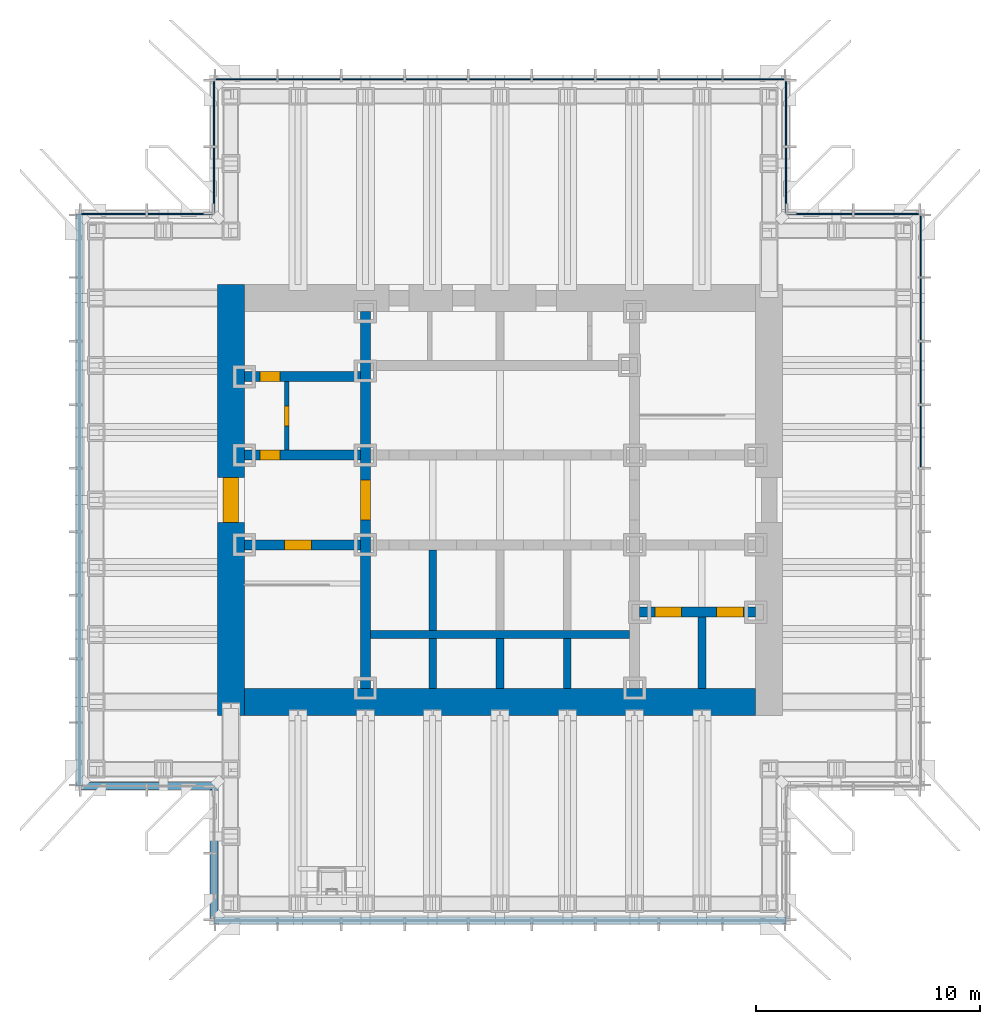
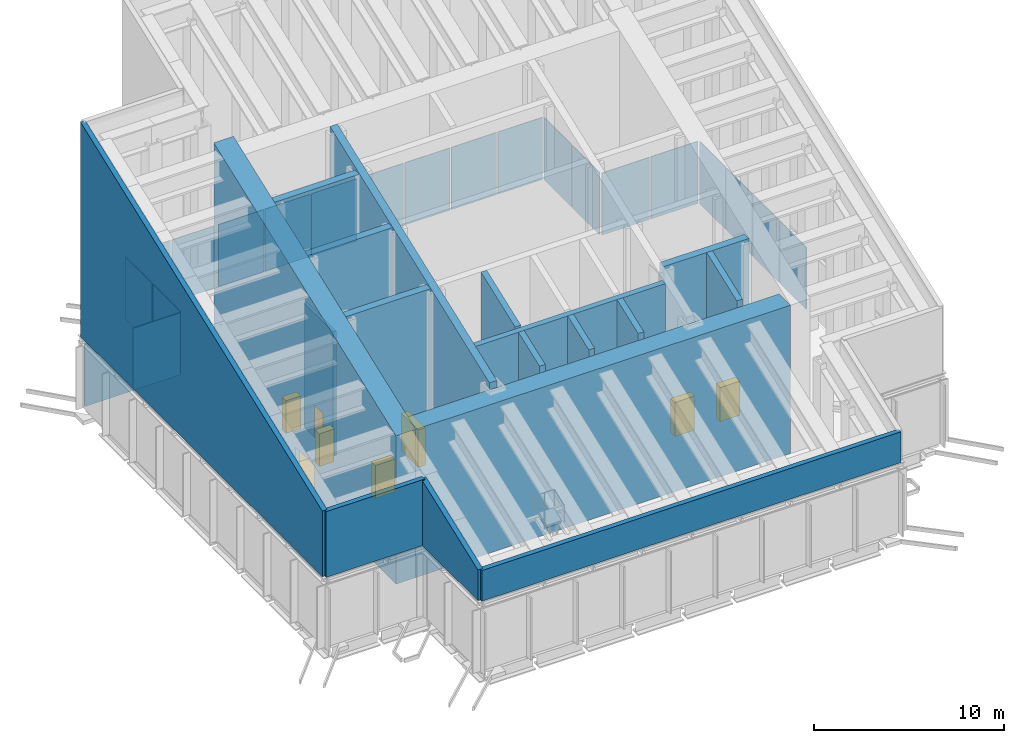
# One storey, part 10 of 15: 21 plates, 18 walls, 8 doors, 8 openings, 6 elements without a shape of their own.
"""IFC4 building model written with IfcOpenShell, lengths in metres."""

from ifc_helpers import new_model, si_unit, direction, frame, frame_2d, origin, origin_2d, place, context, subcontext, project, spatial, polyline, rectangle, outline, extrude, material, layer, layer_set, type_object, element, fill, aggregate, save


model = new_model("IFC4")

# Units and contexts
model_context = context("Model", 3, precision=1e-05, world=origin(), true_north=direction((0.0, 1.0)))
body_context = subcontext(model_context, "Body", "Model", "MODEL_VIEW")
ifc_project = project(units=[si_unit("LENGTHUNIT", "METRE"), si_unit("AREAUNIT", "SQUARE_METRE"), si_unit("VOLUMEUNIT", "CUBIC_METRE"), si_unit("PLANEANGLEUNIT", "RADIAN"), si_unit("MASSUNIT", "GRAM", prefix="KILO")], contexts=[model_context])

# Site, building, storey
site_placement = place(None, origin())
site = spatial("IfcSite", under=ifc_project, at=site_placement, CompositionType="ELEMENT")
building_placement = place(site_placement, origin())
building = spatial("IfcBuilding", under=site, at=building_placement, Name="Daluyong Arena Tower", CompositionType="ELEMENT")
storey_placement = place(building_placement, frame((0.0, 0.0, 285.699951171875)))
storey = spatial("IfcBuildingStorey", under=building, at=storey_placement, Name="L64", CompositionType="ELEMENT", Elevation=285.699951171875)

# Curtain wall, plates
ifc_material_1 = material(Name="Bronze anodised aluminium and glass", Category="aluminium")
curtain_wall_type = type_object("IfcCurtainWallType", Name="Curtain wall CW6", PredefinedType="USERDEFINED", material=ifc_material_1)
curtain_wall_1_placement = place(storey_placement, origin())
curtain_wall_1 = element("IfcCurtainWall", 1, at=curtain_wall_1_placement, inside=storey, type_object=curtain_wall_type, Name="crown louvre curtain wall L64 E", ObjectType="UNITISED CURTAIN WALL", PredefinedType="USERDEFINED")
ifc_material_2 = material(Name="Bronze aluminium louvre panel", Category="aluminium")
ifc_layer_1 = layer(ifc_material_2, 0.050048828125)
ifc_layer_set_1 = layer_set([ifc_layer_1], Name="Bronze aluminium louvre panel")
plate_type = type_object("IfcPlateType", Name="CW6 panel 50", PredefinedType="CURTAIN_PANEL", material=ifc_layer_set_1)
plate_1_placement = place(storey_placement, frame((74.75, 82.833251953125, 0.0), z_axis=(0.0, 0.0, 1.0), x_axis=(0.0, 1.0, 0.0)))
plate_1 = element("IfcPlate", 2, at=plate_1_placement, type_object=plate_type, Name="crown louvre curtain wall L64 E panel 6", PredefinedType="CURTAIN_PANEL", context=body_context, shape_type="SweptSolid", body=[
    extrude(rectangle(XDim=2.75341796875, YDim=0.050048828125, at=origin_2d()), origin(), (0.0, 0.0, 1.0), 4.0),
])
plate_2_placement = place(storey_placement, frame((74.75, 85.666748046875, 0.0), z_axis=(0.0, 0.0, 1.0), x_axis=(0.0, 1.0, 0.0)))
plate_2 = element("IfcPlate", 3, at=plate_2_placement, type_object=plate_type, Name="crown louvre curtain wall L64 E panel 7", PredefinedType="CURTAIN_PANEL", context=body_context, shape_type="SweptSolid", body=[
    extrude(rectangle(XDim=2.75341796875, YDim=0.050048828125, at=origin_2d()), origin(), (0.0, 0.0, 1.0), 4.0),
])
plate_3_placement = place(storey_placement, frame((74.75, 88.5, 0.0), z_axis=(0.0, 0.0, 1.0), x_axis=(0.0, 1.0, 0.0)))
plate_3 = element("IfcPlate", 4, at=plate_3_placement, type_object=plate_type, Name="crown louvre curtain wall L64 E panel 8", PredefinedType="CURTAIN_PANEL", context=body_context, shape_type="SweptSolid", body=[
    extrude(rectangle(XDim=2.75341796875, YDim=0.050048828125, at=origin_2d()), origin(), (0.0, 0.0, 1.0), 4.0),
])
plate_4_placement = place(storey_placement, frame((74.75, 91.313232421875, 0.0), z_axis=(0.0, 0.0, 1.0), x_axis=(0.0, 1.0, 0.0)))
plate_4 = element("IfcPlate", 5, at=plate_4_placement, type_object=plate_type, Name="crown louvre curtain wall L64 E panel 9", PredefinedType="CURTAIN_PANEL", context=body_context, shape_type="SweptSolid", body=[
    extrude(rectangle(XDim=2.71337890625, YDim=0.050048828125, at=origin_2d()), origin(), (0.0, 0.0, 1.0), 4.0),
])
aggregate(curtain_wall_1, [plate_1, plate_2, plate_3, plate_4])

curtain_wall_2_placement = place(storey_placement, origin())
curtain_wall_2 = element("IfcCurtainWall", 6, at=curtain_wall_2_placement, inside=storey, type_object=curtain_wall_type, Name="crown louvre curtain wall L64 NE-N", ObjectType="UNITISED CURTAIN WALL", PredefinedType="USERDEFINED")
plate_5_placement = place(storey_placement, frame((73.22998046875, 92.75, 0.0), z_axis=(0.0, 0.0, 1.0), x_axis=(-1.0, 0.0, 0.0)))
plate_5 = element("IfcPlate", 7, at=plate_5_placement, type_object=plate_type, Name="crown louvre curtain wall L64 NE-N panel 1", PredefinedType="CURTAIN_PANEL", context=body_context, shape_type="SweptSolid", body=[
    extrude(rectangle(XDim=2.8798828125, YDim=0.050048828125, at=origin_2d()), origin(), (0.0, 0.0, 1.0), 4.0),
])
plate_6_placement = place(storey_placement, frame((70.27001953125, 92.75, 0.0), z_axis=(0.0, 0.0, 1.0), x_axis=(-1.0, 0.0, 0.0)))
plate_6 = element("IfcPlate", 8, at=plate_6_placement, type_object=plate_type, Name="crown louvre curtain wall L64 NE-N panel 2", PredefinedType="CURTAIN_PANEL", context=body_context, shape_type="SweptSolid", body=[
    extrude(rectangle(XDim=2.8798828125, YDim=0.050048828125, at=origin_2d()), origin(), (0.0, 0.0, 1.0), 4.0),
])
aggregate(curtain_wall_2, [plate_5, plate_6])

curtain_wall_3_placement = place(storey_placement, origin())
curtain_wall_3 = element("IfcCurtainWall", 9, at=curtain_wall_3_placement, inside=storey, type_object=curtain_wall_type, Name="crown louvre curtain wall L64 NE-E", ObjectType="UNITISED CURTAIN WALL", PredefinedType="USERDEFINED")
plate_7_placement = place(storey_placement, frame((68.75, 94.27001953125, 0.0), z_axis=(0.0, 0.0, 1.0), x_axis=(0.0, 1.0, 0.0)))
plate_7 = element("IfcPlate", 10, at=plate_7_placement, type_object=plate_type, Name="crown louvre curtain wall L64 NE-E panel 1", PredefinedType="CURTAIN_PANEL", context=body_context, shape_type="SweptSolid", body=[
    extrude(rectangle(XDim=2.8798828125, YDim=0.050048828125, at=origin_2d()), origin(), (0.0, 0.0, 1.0), 4.0),
])
plate_8_placement = place(storey_placement, frame((68.75, 97.22998046875, 0.0), z_axis=(0.0, 0.0, 1.0), x_axis=(0.0, 1.0, 0.0)))
plate_8 = element("IfcPlate", 11, at=plate_8_placement, type_object=plate_type, Name="crown louvre curtain wall L64 NE-E panel 2", PredefinedType="CURTAIN_PANEL", context=body_context, shape_type="SweptSolid", body=[
    extrude(rectangle(XDim=2.8798828125, YDim=0.050048828125, at=origin_2d()), origin(), (0.0, 0.0, 1.0), 4.0),
])
aggregate(curtain_wall_3, [plate_7, plate_8])

curtain_wall_4_placement = place(storey_placement, origin())
curtain_wall_4 = element("IfcCurtainWall", 12, at=curtain_wall_4_placement, inside=storey, type_object=curtain_wall_type, Name="crown louvre curtain wall L64 N", ObjectType="UNITISED CURTAIN WALL", PredefinedType="USERDEFINED")
plate_9_placement = place(storey_placement, frame((67.313232421875, 98.75, 0.0), z_axis=(0.0, 0.0, 1.0), x_axis=(-1.0, 0.0, 0.0)))
plate_9 = element("IfcPlate", 13, at=plate_9_placement, type_object=plate_type, Name="crown louvre curtain wall L64 N panel 1", PredefinedType="CURTAIN_PANEL", context=body_context, shape_type="SweptSolid", body=[
    extrude(rectangle(XDim=2.71337890625, YDim=0.050048828125, at=origin_2d()), origin(), (0.0, 0.0, 1.0), 4.0),
])
plate_10_placement = place(storey_placement, frame((64.5, 98.75, 0.0), z_axis=(0.0, 0.0, 1.0), x_axis=(-1.0, 0.0, 0.0)))
plate_10 = element("IfcPlate", 14, at=plate_10_placement, type_object=plate_type, Name="crown louvre curtain wall L64 N panel 2", PredefinedType="CURTAIN_PANEL", context=body_context, shape_type="SweptSolid", body=[
    extrude(rectangle(XDim=2.75341796875, YDim=0.050048828125, at=origin_2d()), origin(), (0.0, 0.0, 1.0), 4.0),
])
plate_11_placement = place(storey_placement, frame((61.666748046875, 98.75, 0.0), z_axis=(0.0, 0.0, 1.0), x_axis=(-1.0, 0.0, 0.0)))
plate_11 = element("IfcPlate", 15, at=plate_11_placement, type_object=plate_type, Name="crown louvre curtain wall L64 N panel 3", PredefinedType="CURTAIN_PANEL", context=body_context, shape_type="SweptSolid", body=[
    extrude(rectangle(XDim=2.75341796875, YDim=0.050048828125, at=origin_2d()), origin(), (0.0, 0.0, 1.0), 4.0),
])
plate_12_placement = place(storey_placement, frame((58.833251953125, 98.75, 0.0), z_axis=(0.0, 0.0, 1.0), x_axis=(-1.0, 0.0, 0.0)))
plate_12 = element("IfcPlate", 16, at=plate_12_placement, type_object=plate_type, Name="crown louvre curtain wall L64 N panel 4", PredefinedType="CURTAIN_PANEL", context=body_context, shape_type="SweptSolid", body=[
    extrude(rectangle(XDim=2.75341796875, YDim=0.050048828125, at=origin_2d()), origin(), (0.0, 0.0, 1.0), 4.0),
])
plate_13_placement = place(storey_placement, frame((56.0, 98.75, 0.0), z_axis=(0.0, 0.0, 1.0), x_axis=(-1.0, 0.0, 0.0)))
plate_13 = element("IfcPlate", 17, at=plate_13_placement, type_object=plate_type, Name="crown louvre curtain wall L64 N panel 5", PredefinedType="CURTAIN_PANEL", context=body_context, shape_type="SweptSolid", body=[
    extrude(rectangle(XDim=2.75341796875, YDim=0.050048828125, at=origin_2d()), origin(), (0.0, 0.0, 1.0), 4.0),
])
plate_14_placement = place(storey_placement, frame((53.166748046875, 98.75, 0.0), z_axis=(0.0, 0.0, 1.0), x_axis=(-1.0, 0.0, 0.0)))
plate_14 = element("IfcPlate", 18, at=plate_14_placement, type_object=plate_type, Name="crown louvre curtain wall L64 N panel 6", PredefinedType="CURTAIN_PANEL", context=body_context, shape_type="SweptSolid", body=[
    extrude(rectangle(XDim=2.75341796875, YDim=0.050048828125, at=origin_2d()), origin(), (0.0, 0.0, 1.0), 4.0),
])
plate_15_placement = place(storey_placement, frame((50.333251953125, 98.75, 0.0), z_axis=(0.0, 0.0, 1.0), x_axis=(-1.0, 0.0, 0.0)))
plate_15 = element("IfcPlate", 19, at=plate_15_placement, type_object=plate_type, Name="crown louvre curtain wall L64 N panel 7", PredefinedType="CURTAIN_PANEL", context=body_context, shape_type="SweptSolid", body=[
    extrude(rectangle(XDim=2.75341796875, YDim=0.050048828125, at=origin_2d()), origin(), (0.0, 0.0, 1.0), 4.0),
])
plate_16_placement = place(storey_placement, frame((47.5, 98.75, 0.0), z_axis=(0.0, 0.0, 1.0), x_axis=(-1.0, 0.0, 0.0)))
plate_16 = element("IfcPlate", 20, at=plate_16_placement, type_object=plate_type, Name="crown louvre curtain wall L64 N panel 8", PredefinedType="CURTAIN_PANEL", context=body_context, shape_type="SweptSolid", body=[
    extrude(rectangle(XDim=2.75341796875, YDim=0.050048828125, at=origin_2d()), origin(), (0.0, 0.0, 1.0), 4.0),
])
plate_17_placement = place(storey_placement, frame((44.686767578125, 98.75, 0.0), z_axis=(0.0, 0.0, 1.0), x_axis=(-1.0, 0.0, 0.0)))
plate_17 = element("IfcPlate", 21, at=plate_17_placement, type_object=plate_type, Name="crown louvre curtain wall L64 N panel 9", PredefinedType="CURTAIN_PANEL", context=body_context, shape_type="SweptSolid", body=[
    extrude(rectangle(XDim=2.71337890625, YDim=0.050048828125, at=origin_2d()), origin(), (0.0, 0.0, 1.0), 4.0),
])
aggregate(curtain_wall_4, [plate_9, plate_10, plate_11, plate_12, plate_13, plate_14, plate_15, plate_16, plate_17])

curtain_wall_5_placement = place(storey_placement, origin())
curtain_wall_5 = element("IfcCurtainWall", 22, at=curtain_wall_5_placement, inside=storey, type_object=curtain_wall_type, Name="crown louvre curtain wall L64 NW-W", ObjectType="UNITISED CURTAIN WALL", PredefinedType="USERDEFINED")
plate_18_placement = place(storey_placement, frame((43.25, 97.22998046875, 0.0), z_axis=(0.0, 0.0, 1.0), x_axis=(0.0, -1.0, 0.0)))
plate_18 = element("IfcPlate", 23, at=plate_18_placement, type_object=plate_type, Name="crown louvre curtain wall L64 NW-W panel 1", PredefinedType="CURTAIN_PANEL", context=body_context, shape_type="SweptSolid", body=[
    extrude(rectangle(XDim=2.8798828125, YDim=0.050048828125, at=origin_2d()), origin(), (0.0, 0.0, 1.0), 4.0),
])
plate_19_placement = place(storey_placement, frame((43.25, 94.27001953125, 0.0), z_axis=(0.0, 0.0, 1.0), x_axis=(0.0, -1.0, 0.0)))
plate_19 = element("IfcPlate", 24, at=plate_19_placement, type_object=plate_type, Name="crown louvre curtain wall L64 NW-W panel 2", PredefinedType="CURTAIN_PANEL", context=body_context, shape_type="SweptSolid", body=[
    extrude(rectangle(XDim=2.8798828125, YDim=0.050048828125, at=origin_2d()), origin(), (0.0, 0.0, 1.0), 4.0),
])
aggregate(curtain_wall_5, [plate_18, plate_19])

curtain_wall_6_placement = place(storey_placement, origin())
curtain_wall_6 = element("IfcCurtainWall", 25, at=curtain_wall_6_placement, inside=storey, type_object=curtain_wall_type, Name="crown louvre curtain wall L64 NW-N", ObjectType="UNITISED CURTAIN WALL", PredefinedType="USERDEFINED")
plate_20_placement = place(storey_placement, frame((41.72998046875, 92.75, 0.0), z_axis=(0.0, 0.0, 1.0), x_axis=(-1.0, 0.0, 0.0)))
plate_20 = element("IfcPlate", 26, at=plate_20_placement, type_object=plate_type, Name="crown louvre curtain wall L64 NW-N panel 1", PredefinedType="CURTAIN_PANEL", context=body_context, shape_type="SweptSolid", body=[
    extrude(rectangle(XDim=2.8798828125, YDim=0.050048828125, at=origin_2d()), origin(), (0.0, 0.0, 1.0), 4.0),
])
plate_21_placement = place(storey_placement, frame((38.77001953125, 92.75, 0.0), z_axis=(0.0, 0.0, 1.0), x_axis=(-1.0, 0.0, 0.0)))
plate_21 = element("IfcPlate", 27, at=plate_21_placement, type_object=plate_type, Name="crown louvre curtain wall L64 NW-N panel 2", PredefinedType="CURTAIN_PANEL", context=body_context, shape_type="SweptSolid", body=[
    extrude(rectangle(XDim=2.8798828125, YDim=0.050048828125, at=origin_2d()), origin(), (0.0, 0.0, 1.0), 4.0),
])
aggregate(curtain_wall_6, [plate_20, plate_21])

# Wall, opening, door
ifc_material_3 = material(Name="Concrete fc' 45 MPa", Category="concrete")
ifc_layer_2 = layer(ifc_material_3, 0.449951171875)
ifc_layer_set_2 = layer_set([ifc_layer_2], Name="Concrete fc' 45 MPa")
wall_type_1 = type_object("IfcWallType", Name="Core inner wall 450", PredefinedType="SHEAR", material=ifc_layer_set_2)
wall_1_placement = place(storey_placement, frame((50.0, 71.60009765625, 0.0), z_axis=(0.0, 0.0, 1.0), x_axis=(0.0, 1.0, 0.0)))
wall_1 = element("IfcWall", 28, at=wall_1_placement, inside=storey, type_object=wall_type_1, Name="core inner wall at L64", PredefinedType="SHEAR", context=body_context, shape_type="SweptSolid", body=[
    extrude(outline(polyline([(0.0, 0.0), (16.7998046875, 0.0), (16.800048828125, 16.292724609375), (0.0, 9.987060546875), (0.0, 0.0)])), frame((0.0, 0.22509765625, 0.0), z_axis=(0.0, -1.0, 0.0), x_axis=(1.0, 0.0, 0.0)), (0.0, 0.0, 1.0), 0.449951171875),
])
opening_1_placement = place(wall_1_placement, frame((7.5, 0.0, 0.0)))
opening_1 = element("IfcOpeningElement", 29, at=opening_1_placement, cuts=wall_1, Name="Opening 64020", PredefinedType="OPENING", context=body_context, shape_type="SweptSolid", body=[
    extrude(rectangle(XDim=1.800048828125, YDim=2.39990234375, at=frame_2d((0.89990234375, 1.199951171875))), frame((0.0, 0.23486328125, 0.0), z_axis=(0.0, -1.0, 0.0), x_axis=(1.0, 0.0, 0.0)), (0.0, 0.0, 1.0), 0.469970703125),
])
ifc_material_4 = material(Name="Steel door, fire rated", Category="steel")
door_type_1 = type_object("IfcDoorType", Name="Lift lobby opening door 1800", OperationType="DOUBLE_DOOR_SINGLE_SWING", PredefinedType="DOOR", material=ifc_material_4)
door_1_placement = place(opening_1_placement, origin())
door_1 = element("IfcDoor", 30, at=door_1_placement, inside=storey, type_object=door_type_1, Name="lift lobby door west 64020", OperationType="DOUBLE_DOOR_SINGLE_SWING", OverallHeight=2.39990234375, OverallWidth=1.800048828125, PredefinedType="DOOR", context=body_context, shape_type="SweptSolid", body=[
    extrude(rectangle(XDim=1.800048828125, YDim=2.39990234375, at=frame_2d((0.89990234375, 1.199951171875))), frame((0.0, 0.224609375, 0.0), z_axis=(0.0, -1.0, 0.0), x_axis=(1.0, 0.0, 0.0)), (0.0, 0.0, 1.0), 0.449462890625),
])
fill(opening_1, door_1)

wall_2_placement = place(storey_placement, frame((44.60009765625, 78.0, 0.0), z_axis=(0.0, 0.0, 1.0), x_axis=(1.0, 0.0, 0.0)))
wall_2 = element("IfcWall", 31, at=wall_2_placement, inside=storey, type_object=wall_type_1, Name="core inner wall at L64", PredefinedType="SHEAR", context=body_context, shape_type="SweptSolid", body=[
    extrude(outline(polyline([(0.0, 0.0), (5.1748046875, 0.0), (5.175048828125, 12.3046875), (0.0, 12.3046875), (0.0, 0.0)])), frame((0.0, 0.22509765625, 0.0), z_axis=(0.0, -1.0, 0.0), x_axis=(1.0, 0.0, 0.0)), (0.0, 0.0, 1.0), 0.449951171875),
])
opening_2_placement = place(wall_2_placement, frame((1.800048828125, 0.0, 0.0)))
opening_2 = element("IfcOpeningElement", 32, at=opening_2_placement, cuts=wall_2, Name="Opening 64016", PredefinedType="OPENING", context=body_context, shape_type="SweptSolid", body=[
    extrude(rectangle(XDim=1.199951171875, YDim=2.10009765625, at=frame_2d((0.60009765625, 1.050048828125))), frame((0.0, 0.23486328125, 0.0), z_axis=(0.0, -1.0, 0.0), x_axis=(1.0, 0.0, 0.0)), (0.0, 0.0, 1.0), 0.469970703125),
])
ifc_material_5 = material(Name="Steel door, fire rated", Category="steel")
door_type_2 = type_object("IfcDoorType", Name="Stair door 1200", OperationType="SINGLE_SWING_LEFT", PredefinedType="DOOR", material=ifc_material_5)
door_2_placement = place(opening_2_placement, origin())
door_2 = element("IfcDoor", 33, at=door_2_placement, inside=storey, type_object=door_type_2, Name="stair A door 64016", OperationType="SINGLE_SWING_LEFT", OverallHeight=2.10009765625, OverallWidth=1.199951171875, PredefinedType="DOOR", context=body_context, shape_type="SweptSolid", body=[
    extrude(rectangle(XDim=1.199951171875, YDim=2.10009765625, at=frame_2d((0.60009765625, 1.050048828125))), frame((0.0, 0.224609375, 0.0), z_axis=(0.0, -1.0, 0.0), x_axis=(1.0, 0.0, 0.0)), (0.0, 0.0, 1.0), 0.449462890625),
])
fill(opening_2, door_2)

wall_3_placement = place(storey_placement, frame((44.60009765625, 82.0, 0.0), z_axis=(0.0, 0.0, 1.0), x_axis=(1.0, 0.0, 0.0)))
wall_3 = element("IfcWall", 34, at=wall_3_placement, inside=storey, type_object=wall_type_1, Name="core inner wall at L64", PredefinedType="SHEAR", context=body_context, shape_type="SweptSolid", body=[
    extrude(outline(polyline([(0.0, 0.0), (5.1748046875, 0.0), (5.175048828125, 13.80615234375), (0.0, 13.80615234375), (0.0, 0.0)])), frame((0.0, 0.22509765625, 0.0), z_axis=(0.0, -1.0, 0.0), x_axis=(1.0, 0.0, 0.0)), (0.0, 0.0, 1.0), 0.449951171875),
])
opening_3_placement = place(wall_3_placement, frame((0.699951171875, 0.0, 0.0)))
opening_3 = element("IfcOpeningElement", 35, at=opening_3_placement, cuts=wall_3, Name="Opening 64001", PredefinedType="OPENING", context=body_context, shape_type="SweptSolid", body=[
    extrude(rectangle(XDim=0.89990234375, YDim=2.10009765625, at=frame_2d((0.449951171875, 1.050048828125))), frame((0.0, 0.23486328125, 0.0), z_axis=(0.0, -1.0, 0.0), x_axis=(1.0, 0.0, 0.0)), (0.0, 0.0, 1.0), 0.469970703125),
])
ifc_material_6 = material(Name="Steel door, fire rated", Category="steel")
door_type_3 = type_object("IfcDoorType", Name="Core room door 900", OperationType="SINGLE_SWING_LEFT", PredefinedType="DOOR", material=ifc_material_6)
door_3_placement = place(opening_3_placement, origin())
door_3 = element("IfcDoor", 36, at=door_3_placement, inside=storey, type_object=door_type_3, Name="toilet lobby door 64001", OperationType="SINGLE_SWING_LEFT", OverallHeight=2.10009765625, OverallWidth=0.89990234375, PredefinedType="DOOR", context=body_context, shape_type="SweptSolid", body=[
    extrude(rectangle(XDim=0.89990234375, YDim=2.10009765625, at=frame_2d((0.449951171875, 1.050048828125))), frame((0.0, 0.224609375, 0.0), z_axis=(0.0, -1.0, 0.0), x_axis=(1.0, 0.0, 0.0)), (0.0, 0.0, 1.0), 0.449462890625),
])
fill(opening_3, door_3)

wall_4_placement = place(storey_placement, frame((44.60009765625, 85.5, 0.0), z_axis=(0.0, 0.0, 1.0), x_axis=(1.0, 0.0, 0.0)))
wall_4 = element("IfcWall", 37, at=wall_4_placement, inside=storey, type_object=wall_type_1, Name="core inner wall at L64", PredefinedType="SHEAR", context=body_context, shape_type="SweptSolid", body=[
    extrude(outline(polyline([(0.0, 0.0), (5.1748046875, 0.0), (5.175048828125, 15.11962890625), (0.0, 15.11962890625), (0.0, 0.0)])), frame((0.0, 0.22509765625, 0.0), z_axis=(0.0, -1.0, 0.0), x_axis=(1.0, 0.0, 0.0)), (0.0, 0.0, 1.0), 0.449951171875),
])
opening_4_placement = place(wall_4_placement, frame((0.699951171875, 0.0, 0.0)))
opening_4 = element("IfcOpeningElement", 38, at=opening_4_placement, cuts=wall_4, Name="Opening 64003", PredefinedType="OPENING", context=body_context, shape_type="SweptSolid", body=[
    extrude(rectangle(XDim=0.89990234375, YDim=2.10009765625, at=frame_2d((0.449951171875, 1.050048828125))), frame((0.0, 0.23486328125, 0.0), z_axis=(0.0, -1.0, 0.0), x_axis=(1.0, 0.0, 0.0)), (0.0, 0.0, 1.0), 0.469970703125),
])
ifc_material_7 = material(Name="Timber door", Category="wood")
door_type_4 = type_object("IfcDoorType", Name="Toilet door 900", OperationType="SINGLE_SWING_RIGHT", PredefinedType="DOOR", material=ifc_material_7)
door_4_placement = place(opening_4_placement, origin())
door_4 = element("IfcDoor", 39, at=door_4_placement, inside=storey, type_object=door_type_4, Name="female toilet door 64003", OperationType="SINGLE_SWING_RIGHT", OverallHeight=2.10009765625, OverallWidth=0.89990234375, PredefinedType="DOOR", context=body_context, shape_type="SweptSolid", body=[
    extrude(rectangle(XDim=0.89990234375, YDim=2.10009765625, at=frame_2d((0.449951171875, 1.050048828125))), frame((0.0, 0.224609375, 0.0), z_axis=(0.0, -1.0, 0.0), x_axis=(1.0, 0.0, 0.0)), (0.0, 0.0, 1.0), 0.449462890625),
])
fill(opening_4, door_4)

# Wall, openings, doors
wall_5_placement = place(storey_placement, frame((62.22509765625, 75.0, 0.0), z_axis=(0.0, 0.0, 1.0), x_axis=(1.0, 0.0, 0.0)))
wall_5 = element("IfcWall", 40, at=wall_5_placement, inside=storey, type_object=wall_type_1, Name="core inner wall at L64", PredefinedType="SHEAR", context=body_context, shape_type="SweptSolid", body=[
    extrude(outline(polyline([(0.0, 0.0), (5.1748046875, 0.0), (5.175048828125, 11.1787109375), (0.0, 11.1787109375), (0.0, 0.0)])), frame((0.0, 0.22509765625, 0.0), z_axis=(0.0, -1.0, 0.0), x_axis=(1.0, 0.0, 0.0)), (0.0, 0.0, 1.0), 0.449951171875),
])
opening_5_placement = place(wall_5_placement, frame((0.675048828125, 0.0, 0.0)))
opening_5 = element("IfcOpeningElement", 41, at=opening_5_placement, cuts=wall_5, Name="Opening 64023", PredefinedType="OPENING", context=body_context, shape_type="SweptSolid", body=[
    extrude(rectangle(XDim=1.199951171875, YDim=2.199951171875, at=frame_2d((0.60009765625, 1.10009765625))), frame((0.0, 0.23486328125, 0.0), z_axis=(0.0, -1.0, 0.0), x_axis=(1.0, 0.0, 0.0)), (0.0, 0.0, 1.0), 0.469970703125),
])
opening_6_placement = place(wall_5_placement, frame((3.425048828125, 0.0, 0.0)))
opening_6 = element("IfcOpeningElement", 42, at=opening_6_placement, cuts=wall_5, Name="Opening 64024", PredefinedType="OPENING", context=body_context, shape_type="SweptSolid", body=[
    extrude(rectangle(XDim=1.199951171875, YDim=2.199951171875, at=frame_2d((0.60009765625, 1.10009765625))), frame((0.0, 0.23486328125, 0.0), z_axis=(0.0, -1.0, 0.0), x_axis=(1.0, 0.0, 0.0)), (0.0, 0.0, 1.0), 0.469970703125),
])
ifc_material_8 = material(Name="Steel door, fire rated", Category="steel")
door_type_5 = type_object("IfcDoorType", Name="Firefighting lift landing door 1200", OperationType="SLIDING_TO_LEFT", PredefinedType="DOOR", material=ifc_material_8)
door_5_placement = place(opening_5_placement, origin())
door_5 = element("IfcDoor", 43, at=door_5_placement, inside=storey, type_object=door_type_5, Name="firefighting lift landing door F1 64023", OperationType="SLIDING_TO_LEFT", OverallHeight=2.199951171875, OverallWidth=1.199951171875, PredefinedType="DOOR", context=body_context, shape_type="SweptSolid", body=[
    extrude(rectangle(XDim=1.199951171875, YDim=2.199951171875, at=frame_2d((0.60009765625, 1.10009765625))), frame((0.0, 0.224609375, 0.0), z_axis=(0.0, -1.0, 0.0), x_axis=(1.0, 0.0, 0.0)), (0.0, 0.0, 1.0), 0.449462890625),
])
fill(opening_5, door_5)
door_6_placement = place(opening_6_placement, origin())
door_6 = element("IfcDoor", 44, at=door_6_placement, inside=storey, type_object=door_type_5, Name="firefighting lift landing door F2 64024", OperationType="SLIDING_TO_LEFT", OverallHeight=2.199951171875, OverallWidth=1.199951171875, PredefinedType="DOOR", context=body_context, shape_type="SweptSolid", body=[
    extrude(rectangle(XDim=1.199951171875, YDim=2.199951171875, at=frame_2d((0.60009765625, 1.10009765625))), frame((0.0, 0.224609375, 0.0), z_axis=(0.0, -1.0, 0.0), x_axis=(1.0, 0.0, 0.0)), (0.0, 0.0, 1.0), 0.449462890625),
])
fill(opening_6, door_6)

# Wall, opening, door
ifc_material_9 = material(Name="Concrete fc' 60 MPa", Category="concrete")
ifc_layer_3 = layer(ifc_material_9, 1.199951171875)
ifc_layer_set_3 = layer_set([ifc_layer_3], Name="Concrete fc' 60 MPa")
wall_type_2 = type_object("IfcWallType", Name="Core wall 1200", PredefinedType="SHEAR", material=ifc_layer_set_3)
wall_6_placement = place(storey_placement, frame((44.0, 70.39990234375, 0.0), z_axis=(0.0, 0.0, 1.0), x_axis=(0.0, 1.0, 0.0)))
wall_6 = element("IfcWall", 45, at=wall_6_placement, inside=storey, type_object=wall_type_2, Name="core wall at L64", PredefinedType="SHEAR", context=body_context, shape_type="SweptSolid", body=[
    extrude(outline(polyline([(0.0, 0.0), (19.2001953125, 0.0), (19.199951171875, 16.7431640625), (0.0, 9.53662109375), (0.0, 0.0)])), frame((0.0, 0.60009765625, 0.0), z_axis=(0.0, -1.0, 0.0), x_axis=(1.0, 0.0, 0.0)), (0.0, 0.0, 1.0), 1.199951171875),
])
opening_7_placement = place(wall_6_placement, frame((8.60009765625, 0.0, 0.0)))
opening_7 = element("IfcOpeningElement", 46, at=opening_7_placement, cuts=wall_6, Name="Opening 64018", PredefinedType="OPENING", context=body_context, shape_type="SweptSolid", body=[
    extrude(rectangle(XDim=2.0, YDim=2.39990234375, at=frame_2d((1.0, 1.199951171875))), frame((0.0, 0.60986328125, 0.0), z_axis=(0.0, -1.0, 0.0), x_axis=(1.0, 0.0, 0.0)), (0.0, 0.0, 1.0), 1.219970703125),
])
ifc_material_10 = material(Name="Steel door, fire rated", Category="steel")
door_type_6 = type_object("IfcDoorType", Name="Core lobby double door 2000", OperationType="DOUBLE_DOOR_SINGLE_SWING", PredefinedType="DOOR", material=ifc_material_10)
door_7_placement = place(opening_7_placement, origin())
door_7 = element("IfcDoor", 47, at=door_7_placement, inside=storey, type_object=door_type_6, Name="core lobby door west 64018", OperationType="DOUBLE_DOOR_SINGLE_SWING", OverallHeight=2.39990234375, OverallWidth=2.0, PredefinedType="DOOR", context=body_context, shape_type="SweptSolid", body=[
    extrude(rectangle(XDim=2.0, YDim=2.39990234375, at=frame_2d((1.0, 1.199951171875))), frame((0.0, 0.35009765625, 0.0), z_axis=(0.0, -1.0, 0.0), x_axis=(1.0, 0.0, 0.0)), (0.0, 0.0, 1.0), 0.699951171875),
])
fill(opening_7, door_7)

# Walls
wall_7_placement = place(storey_placement, frame((44.60009765625, 71.0, 0.0), z_axis=(0.0, 0.0, 1.0), x_axis=(1.0, 0.0, 0.0)))
element("IfcWall", 48, at=wall_7_placement, inside=storey, type_object=wall_type_2, Name="core wall at L64", PredefinedType="SHEAR", context=body_context, shape_type="SweptSolid", body=[
    extrude(outline(polyline([(0.0, 0.0), (22.7998046875, 0.0), (22.800048828125, 9.53662109375), (0.0, 9.53662109375), (0.0, 0.0)])), frame((0.0, 0.60009765625, 0.0), z_axis=(0.0, -1.0, 0.0), x_axis=(1.0, 0.0, 0.0)), (0.0, 0.0, 1.0), 1.199951171875),
])
ifc_material_11 = material(Name="Bronze aluminium louvre cladding", Category="aluminium")
ifc_layer_4 = layer(ifc_material_11, 0.300048828125)
ifc_layer_set_4 = layer_set([ifc_layer_4], Name="Bronze aluminium louvre cladding")
wall_type_3 = type_object("IfcWallType", Name="Crown louvre wall 300", PredefinedType="SOLIDWALL", material=ifc_layer_set_4)
wall_8_placement = place(storey_placement, frame((43.25, 61.25, 4.586181640625), z_axis=(0.0, 0.0, 1.0), x_axis=(1.0, 0.0, 0.0)))
element("IfcWall", 49, at=wall_8_placement, inside=storey, type_object=wall_type_3, Name="crown louvre screen S", PredefinedType="SOLIDWALL", context=body_context, shape_type="SweptSolid", body=[
    extrude(outline(polyline([(0.0, 0.0), (25.5, 0.0), (25.5, 1.976318359375), (0.0, 1.976318359375), (0.0, 0.0)])), frame((0.0, 0.14990234375, 0.0), z_axis=(0.0, -1.0, 0.0), x_axis=(1.0, 0.0, 0.0)), (0.0, 0.0, 1.0), 0.300048828125),
])
wall_9_placement = place(storey_placement, frame((37.25, 92.75, 4.586181640625), z_axis=(0.0, 0.0, 1.0), x_axis=(0.0, -1.0, 0.0)))
element("IfcWall", 50, at=wall_9_placement, inside=storey, type_object=wall_type_3, Name="crown louvre screen W", PredefinedType="SOLIDWALL", context=body_context, shape_type="SweptSolid", body=[
    extrude(outline(polyline([(0.0, 0.0), (25.5, 0.0), (25.5, 4.228271484375), (0.0, 13.79931640625), (0.0, 0.0)])), frame((0.0, 0.14990234375, 0.0), z_axis=(0.0, -1.0, 0.0), x_axis=(1.0, 0.0, 0.0)), (0.0, 0.0, 1.0), 0.300048828125),
])
wall_10_placement = place(storey_placement, frame((37.25, 67.25, 4.586181640625), z_axis=(0.0, 0.0, 1.0), x_axis=(1.0, 0.0, 0.0)))
element("IfcWall", 51, at=wall_10_placement, inside=storey, type_object=wall_type_3, Name="crown louvre screen SW-S", PredefinedType="SOLIDWALL", context=body_context, shape_type="SweptSolid", body=[
    extrude(outline(polyline([(0.0, 0.0), (6.0, 0.0), (6.0, 4.228271484375), (0.0, 4.228271484375), (0.0, 0.0)])), frame((0.0, 0.14990234375, 0.0), z_axis=(0.0, -1.0, 0.0), x_axis=(1.0, 0.0, 0.0)), (0.0, 0.0, 1.0), 0.300048828125),
])
wall_11_placement = place(storey_placement, frame((43.25, 67.25, 4.586181640625), z_axis=(0.0, 0.0, 1.0), x_axis=(0.0, -1.0, 0.0)))
element("IfcWall", 52, at=wall_11_placement, inside=storey, type_object=wall_type_3, Name="crown louvre screen SW-W", PredefinedType="SOLIDWALL", context=body_context, shape_type="SweptSolid", body=[
    extrude(outline(polyline([(0.0, 0.0), (6.0, 0.0), (6.0, 1.976318359375), (0.0, 4.228271484375), (0.0, 0.0)])), frame((0.0, 0.14990234375, 0.0), z_axis=(0.0, -1.0, 0.0), x_axis=(1.0, 0.0, 0.0)), (0.0, 0.0, 1.0), 0.300048828125),
])

# Wall, opening, door
ifc_material_12 = material(Name="Concrete block partition, fire rated", Category="concrete")
ifc_layer_5 = layer(ifc_material_12, 0.199951171875)
ifc_layer_set_5 = layer_set([ifc_layer_5], Name="Concrete block partition, fire rated")
wall_type_4 = type_object("IfcWallType", Name="Fire-rated partition 200", PredefinedType="PARTITIONING", material=ifc_layer_set_5)
wall_12_placement = place(storey_placement, frame((46.5, 82.22509765625, 0.0), z_axis=(0.0, 0.0, 1.0), x_axis=(0.0, 1.0, 0.0)))
wall_12 = element("IfcWall", 53, at=wall_12_placement, inside=storey, type_object=wall_type_4, Name="toilet lobby partition at L64", PredefinedType="PARTITIONING", context=body_context, shape_type="SweptSolid", body=[
    extrude(rectangle(XDim=3.0498046875, YDim=0.199951171875, at=frame_2d((1.52490234375, 0.0))), origin(), (0.0, 0.0, 1.0), 8.0),
])
opening_8_placement = place(wall_12_placement, frame((1.074951171875, 0.0, 0.0)))
opening_8 = element("IfcOpeningElement", 54, at=opening_8_placement, cuts=wall_12, Name="Opening 64002", PredefinedType="OPENING", context=body_context, shape_type="SweptSolid", body=[
    extrude(rectangle(XDim=0.89990234375, YDim=2.10009765625, at=frame_2d((0.449951171875, 1.050048828125))), frame((0.0, 0.10986328125, 0.0), z_axis=(0.0, -1.0, 0.0), x_axis=(1.0, 0.0, 0.0)), (0.0, 0.0, 1.0), 0.219970703125),
])
door_8_placement = place(opening_8_placement, origin())
door_8 = element("IfcDoor", 55, at=door_8_placement, inside=storey, type_object=door_type_4, Name="male toilet door 64002", OperationType="SINGLE_SWING_RIGHT", OverallHeight=2.10009765625, OverallWidth=0.89990234375, PredefinedType="DOOR", context=body_context, shape_type="SweptSolid", body=[
    extrude(rectangle(XDim=0.89990234375, YDim=2.10009765625, at=frame_2d((0.449951171875, 1.050048828125))), frame((0.0, 0.099609375, 0.0), z_axis=(0.0, -1.0, 0.0), x_axis=(1.0, 0.0, 0.0)), (0.0, 0.0, 1.0), 0.199462890625),
])
fill(opening_8, door_8)

# Walls
ifc_material_13 = material(Name="Concrete fc' 45 MPa", Category="concrete")
ifc_layer_6 = layer(ifc_material_13, 0.35009765625)
ifc_layer_set_6 = layer_set([ifc_layer_6], Name="Concrete fc' 45 MPa")
wall_type_5 = type_object("IfcWallType", Name="Lift shaft wall 350", PredefinedType="SHEAR", material=ifc_layer_set_6)
wall_13_placement = place(storey_placement, frame((50.22509765625, 74.0, 0.0), z_axis=(0.0, 0.0, 1.0), x_axis=(1.0, 0.0, 0.0)))
element("IfcWall", 56, at=wall_13_placement, inside=storey, type_object=wall_type_5, Name="lift shaft wall at L64", PredefinedType="SHEAR", context=body_context, shape_type="SweptSolid", body=[
    extrude(outline(polyline([(0.0, 0.0), (11.5498046875, 0.0), (11.550048828125, 10.822021484375), (0.0, 10.822021484375), (0.0, 0.0)])), frame((0.0, 0.175048828125, 0.0), z_axis=(0.0, -1.0, 0.0), x_axis=(1.0, 0.0, 0.0)), (0.0, 0.0, 1.0), 0.35009765625),
])
wall_14_placement = place(storey_placement, frame((53.0, 71.60009765625, 0.0), z_axis=(0.0, 0.0, 1.0), x_axis=(0.0, 1.0, 0.0)))
element("IfcWall", 57, at=wall_14_placement, inside=storey, type_object=wall_type_5, Name="lift shaft wall at L64", PredefinedType="SHEAR", context=body_context, shape_type="SweptSolid", body=[
    extrude(outline(polyline([(0.0, 0.0), (2.224853515625, 0.0), (2.22509765625, 10.822021484375), (0.0, 9.987060546875), (0.0, 0.0)])), frame((0.0, 0.175048828125, 0.0), z_axis=(0.0, -1.0, 0.0), x_axis=(1.0, 0.0, 0.0)), (0.0, 0.0, 1.0), 0.35009765625),
])
wall_15_placement = place(storey_placement, frame((53.0, 74.175048828125, 0.0), z_axis=(0.0, 0.0, 1.0), x_axis=(0.0, 1.0, 0.0)))
element("IfcWall", 58, at=wall_15_placement, inside=storey, type_object=wall_type_5, Name="lift shaft wall at L64", PredefinedType="SHEAR", context=body_context, shape_type="SweptSolid", body=[
    extrude(outline(polyline([(0.0, 0.0), (3.599853515625, 0.0), (3.60009765625, 12.3046875), (0.0, 10.95361328125), (0.0, 0.0)])), frame((0.0, 0.175048828125, 0.0), z_axis=(0.0, -1.0, 0.0), x_axis=(1.0, 0.0, 0.0)), (0.0, 0.0, 1.0), 0.35009765625),
])
for number, where, z_axis, x_axis, name in (
    (59, (56.0, 71.60009765625, 0.0), (0.0, 0.0, 1.0), (0.0, 1.0, 0.0), "lift shaft wall at L64"),
    (60, (59.0, 71.60009765625, 0.0), (0.0, 0.0, 1.0), (0.0, 1.0, 0.0), "lift shaft wall at L64"),
):
    element("IfcWall", number, at=place(storey_placement, frame(where, z_axis=z_axis, x_axis=x_axis)), inside=storey, type_object=wall_type_5, Name=name, PredefinedType="SHEAR", context=body_context, shape_type="SweptSolid", body=[
        extrude(outline(polyline([(0.0, 0.0), (2.224853515625, 0.0), (2.22509765625, 10.822021484375), (0.0, 9.987060546875), (0.0, 0.0)])), frame((0.0, 0.175048828125, 0.0), z_axis=(0.0, -1.0, 0.0), x_axis=(1.0, 0.0, 0.0)), (0.0, 0.0, 1.0), 0.35009765625),
    ])
wall_16_placement = place(storey_placement, frame((65.0, 71.60009765625, 0.0), z_axis=(0.0, 0.0, 1.0), x_axis=(0.0, 1.0, 0.0)))
element("IfcWall", 61, at=wall_16_placement, inside=storey, type_object=wall_type_5, Name="lift shaft wall at L64", PredefinedType="SHEAR", context=body_context, shape_type="SweptSolid", body=[
    extrude(outline(polyline([(0.0, 0.0), (3.1748046875, 0.0), (3.175048828125, 11.1787109375), (0.0, 9.987060546875), (0.0, 0.0)])), frame((0.0, 0.175048828125, 0.0), z_axis=(0.0, -1.0, 0.0), x_axis=(1.0, 0.0, 0.0)), (0.0, 0.0, 1.0), 0.35009765625),
])

save(model, "model.ifc")
